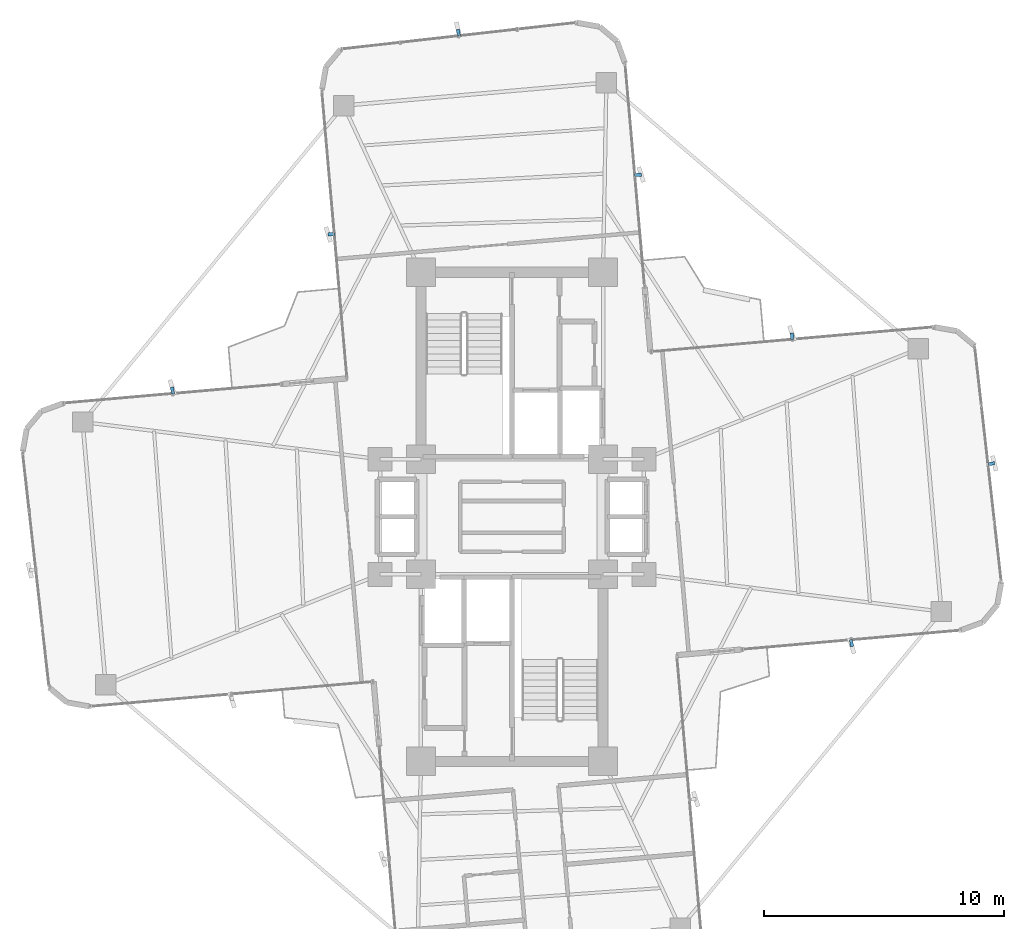
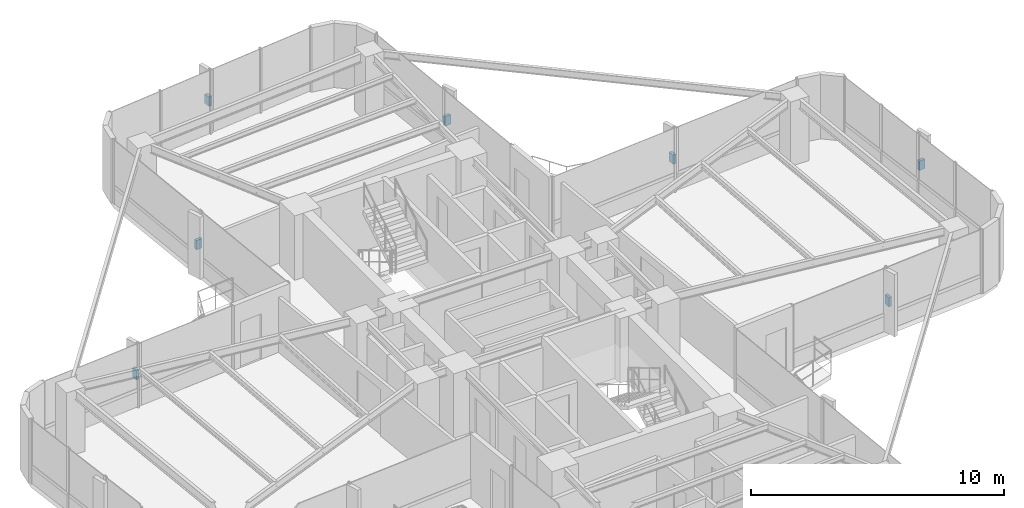
# One storey, part 23 of 24: 7 discrete accessories.
"""IFC4 building model written with IfcOpenShell, lengths in metres."""

from ifc_helpers import new_model, si_unit, direction, frame, origin, origin_2d, place, context, subcontext, project, spatial, rectangle, extrude, source, transform, mapped, material, type_object, element, save


model = new_model("IFC4")

# Units and contexts
model_context = context("Model", 3, precision=1e-05, world=origin(), true_north=direction((0.0, 1.0)))
body_context = subcontext(model_context, "Body", "Model", "MODEL_VIEW")
ifc_project = project(units=[si_unit("LENGTHUNIT", "METRE"), si_unit("AREAUNIT", "SQUARE_METRE"), si_unit("VOLUMEUNIT", "CUBIC_METRE"), si_unit("PLANEANGLEUNIT", "RADIAN"), si_unit("MASSUNIT", "GRAM", prefix="KILO")], contexts=[model_context])

# Site, building, storey
site_placement = place(None, origin())
site = spatial("IfcSite", under=ifc_project, at=site_placement, CompositionType="ELEMENT")
building_placement = place(site_placement, origin())
building = spatial("IfcBuilding", under=site, at=building_placement, Name="Sahyath Konkavel Grand Hotel", CompositionType="ELEMENT")
storey_placement = place(building_placement, frame((0.0, 0.0, 185.25)))
storey = spatial("IfcBuildingStorey", under=building, at=storey_placement, Name="L51", CompositionType="ELEMENT", Elevation=185.25)

# Discrete accessories
ifc_material = material(Name="Steel E350", Category="steel")
discrete_accessory_type = type_object("IfcDiscreteAccessoryType", Name="ACC-FIN-BRACKET", PredefinedType="BRACKET", material=ifc_material)
shared_shape = source(origin(), body_context, "Body", "SweptSolid", [
    extrude(rectangle(XDim=0.280029296875, YDim=0.139892578125, at=origin_2d()), origin(), (0.0, 0.0, 1.0), 0.449951171875),
])
for number, where, z_axis, x_axis, name in (
    (1, (14.162841796875, -5.265625, 1.330078125), (0.0, 0.0, 1.0), (0.087155742748, -0.996194698092, 0.0), "L51 Fin Support Bracket F0-1"),
    (2, (19.989013671875, 2.21630859375, 1.330078125), (0.0, 0.0, 1.0), (0.993709417943, 0.111989252568, 0.0), "L51 Fin Support Bracket F4-2"),
    (3, (11.6884765625, 7.52734375, 1.330078125), (0.0, 0.0, 1.0), (-0.087155742748, 0.996194698092, 0.0), "L51 Fin Support Bracket F7-1"),
    (4, (5.2568359375, 14.262451171875, 1.330078125), (0.0, 0.0, 1.0), (0.996194698092, 0.087155742748, 0.0), "L51 Fin Support Bracket F8-1"),
    (5, (-2.23388671875, 20.188232421875, 1.330078125), (0.0, 0.0, 1.0), (-0.112006596052, 0.993707463211, 0.0), "L51 Fin Support Bracket F12-2"),
    (6, (-7.5361328125, 11.7880859375, 1.330078125), (0.0, 0.0, 1.0), (-0.996194698092, -0.087155742748, 0.0), "L51 Fin Support Bracket F15-1"),
    (7, (-14.162841796875, 5.265625, 1.330078125), (0.0, 0.0, 1.0), (-0.087155742748, 0.996194698092, 0.0), "L51 Fin Support Bracket F16-1"),
):
    element("IfcDiscreteAccessory", number, at=place(storey_placement, frame(where, z_axis=z_axis, x_axis=x_axis)), inside=storey, type_object=discrete_accessory_type, Name=name, PredefinedType="BRACKET", context=body_context, shape_type="MappedRepresentation", body=[
        mapped(shared_shape, transform((0.0, 0.0, 0.0), scale=1.0)),
    ])

save(model, "model.ifc")
